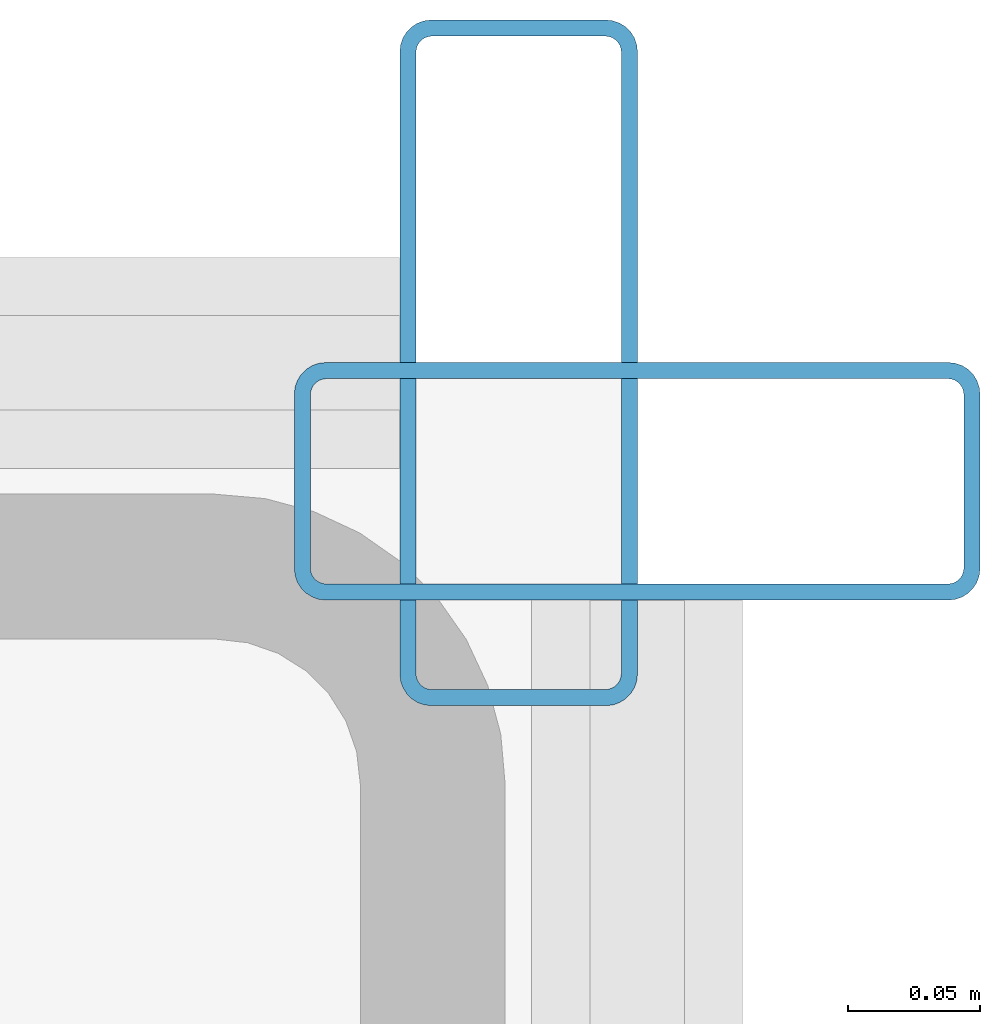
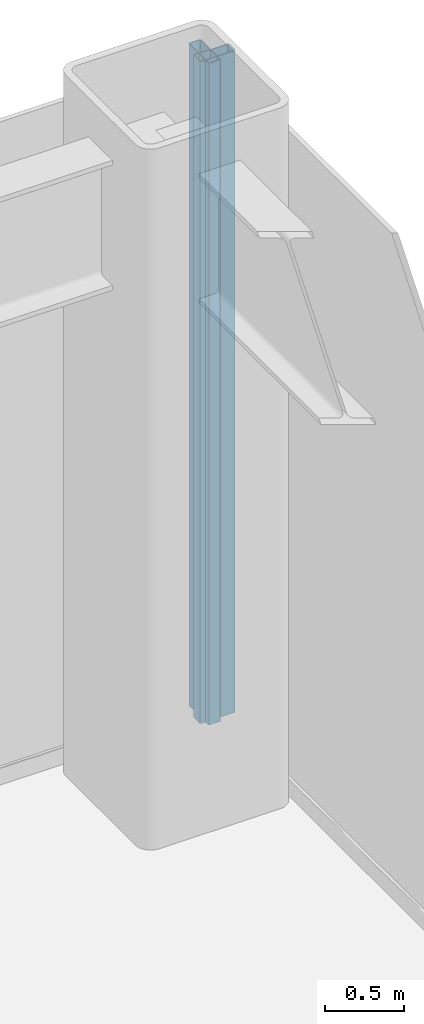
# One storey, part 15 of 24: 2 members, 2 elements without a shape of their own.
"""IFC4 building model written with IfcOpenShell, lengths in metres."""

from ifc_helpers import new_model, si_unit, direction, frame, origin, origin_2d, place, context, subcontext, project, spatial, hollow_rectangle, extrude, source, transform, mapped, material, layer, layer_set, material_profile, profile_set, type_object, element, aggregate, save


model = new_model("IFC4")

# Units and contexts
model_context = context("Model", 3, precision=1e-05, world=origin(), true_north=direction((0.0, 1.0)))
body_context = subcontext(model_context, "Body", "Model", "MODEL_VIEW")
ifc_project = project(units=[si_unit("LENGTHUNIT", "METRE"), si_unit("AREAUNIT", "SQUARE_METRE"), si_unit("VOLUMEUNIT", "CUBIC_METRE"), si_unit("PLANEANGLEUNIT", "RADIAN"), si_unit("MASSUNIT", "GRAM", prefix="KILO")], contexts=[model_context])

# Site, building, storey
site_placement = place(None, origin())
site = spatial("IfcSite", under=ifc_project, at=site_placement, CompositionType="ELEMENT")
building_placement = place(site_placement, origin())
building = spatial("IfcBuilding", under=site, at=building_placement, Name="Nefas-Gora Pilgrimage Tower", CompositionType="ELEMENT")
storey_placement = place(building_placement, frame((0.0, 0.0, 11.39990234375)))
storey = spatial("IfcBuildingStorey", under=building, at=storey_placement, Name="L02", CompositionType="ELEMENT", Elevation=11.39990234375)

# Curtain wall, member
ifc_material_1 = material(Name="Dark ceramic-fritted solar-control aluminium-glass curtain wall", Category="aluminium")
ifc_layer = layer(ifc_material_1, 0.219970703125)
ifc_layer_set = layer_set([ifc_layer], Name="Dark ceramic-fritted solar-control aluminium-glass curtain wall")
curtain_wall_type = type_object("IfcCurtainWallType", Name="CW-SYS-1", PredefinedType="NOTDEFINED", material=ifc_layer_set)
curtain_wall_1_placement = place(storey_placement, origin())
curtain_wall_1 = element("IfcCurtainWall", 1, at=curtain_wall_1_placement, inside=storey, type_object=curtain_wall_type, Name="L02 Unitised Curtain Wall CW1", PredefinedType="NOTDEFINED")
ifc_material_2 = material(Name="Anodised architectural aluminium", Category="aluminium")
ifc_material_profile = material_profile(ifc_material_2, hollow_rectangle(XDim=0.090087890625, YDim=0.260009765625, WallThickness=0.006103515625, InnerFilletRadius=0.006103515625, OuterFilletRadius=0.011962890625, at=origin_2d()), Name="ALU MULLION 90x260")
ifc_profile_set = profile_set([ifc_material_profile], Name="Anodised architectural aluminium")
member_type = type_object("IfcMemberType", Name="CWM-MUL-1", PredefinedType="MULLION", material=ifc_profile_set)
shared_shape = source(origin(), body_context, "Body", "SweptSolid", [
    extrude(hollow_rectangle(XDim=0.090087890625, YDim=0.260009765625, WallThickness=0.006103515625, InnerFilletRadius=0.006103515625, OuterFilletRadius=0.011962890625, at=origin_2d()), origin(), (0.0, 0.0, 1.0), 5.10009765625),
])
member_1_placement = place(storey_placement, frame((38.25, 25.155029296875, 0.0), z_axis=(0.0, 0.0, 1.0), x_axis=(0.0, 1.0, 0.0)))
member_1 = element("IfcMember", 2, at=member_1_placement, type_object=member_type, Name="CW1 Mullion 3", PredefinedType="MULLION", context=body_context, shape_type="MappedRepresentation", body=[
    mapped(shared_shape, transform((0.0, 0.0, 0.0), x_axis=(1.0, 0.0, 0.0), y_axis=(0.0, 1.0, 0.0), z_axis=(0.0, 0.0, 1.0), scale=1.0)),
])
aggregate(curtain_wall_1, [member_1])

curtain_wall_2_placement = place(storey_placement, origin())
curtain_wall_2 = element("IfcCurtainWall", 3, at=curtain_wall_2_placement, inside=storey, type_object=curtain_wall_type, Name="L02 Unitised Curtain Wall CW1", PredefinedType="NOTDEFINED")
member_2_placement = place(storey_placement, frame((38.205078125, 25.199951171875, 0.0), z_axis=(0.0, 0.0, 1.0), x_axis=(-1.0, 0.0, 0.0)))
member_2 = element("IfcMember", 4, at=member_2_placement, type_object=member_type, Name="CW1 Mullion 1", PredefinedType="MULLION", context=body_context, shape_type="MappedRepresentation", body=[
    mapped(shared_shape, transform((0.0, 0.0, 0.0), x_axis=(1.0, 0.0, 0.0), y_axis=(0.0, 1.0, 0.0), z_axis=(0.0, 0.0, 1.0), scale=1.0)),
])
aggregate(curtain_wall_2, [member_2])

save(model, "model.ifc")
